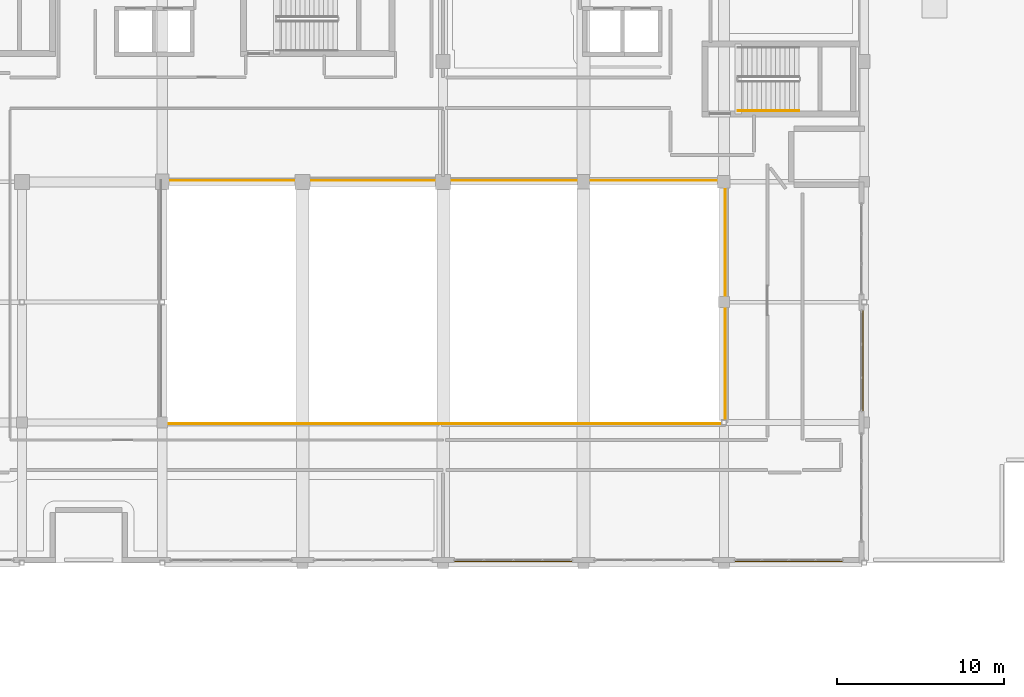
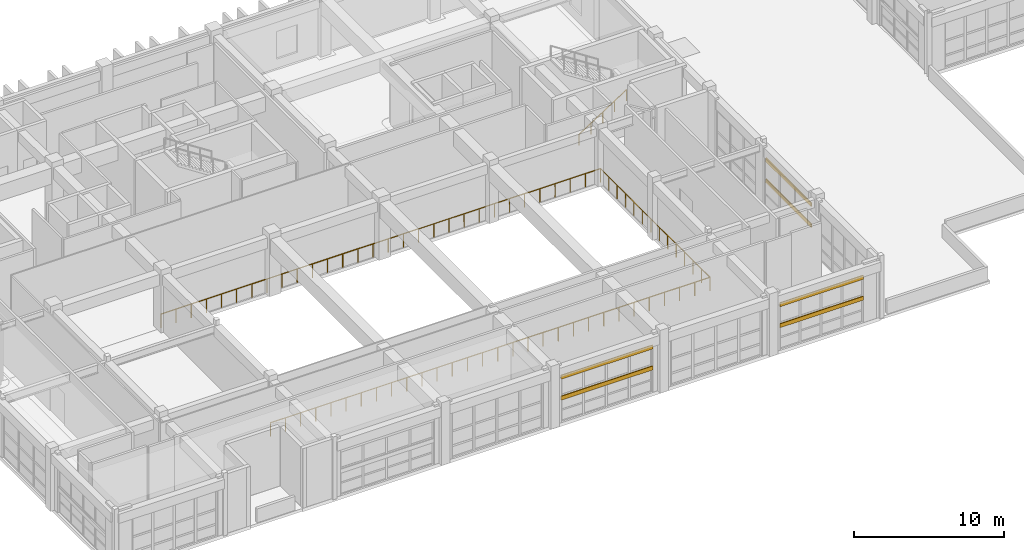
# One storey, part 74 of 78: 6 shading devices, 4 railings.
"""IFC4 building model written with IfcOpenShell, lengths in metres."""

from ifc_helpers import new_model, si_unit, direction, frame, origin, origin_2d, place, context, subcontext, project, spatial, hollow_rectangle, circle, extrude, material, material_profile, profile_set, type_object, element, save


model = new_model("IFC4")

# Units and contexts
model_context = context("Model", 3, precision=1e-05, world=origin(), true_north=direction((0.0, 1.0)))
body_context = subcontext(model_context, "Body", "Model", "MODEL_VIEW")
ifc_project = project(units=[si_unit("LENGTHUNIT", "METRE"), si_unit("AREAUNIT", "SQUARE_METRE"), si_unit("VOLUMEUNIT", "CUBIC_METRE"), si_unit("PLANEANGLEUNIT", "RADIAN"), si_unit("MASSUNIT", "GRAM", prefix="KILO")], contexts=[model_context])

# Site, building, storey
site_placement = place(None, origin())
site = spatial("IfcSite", under=ifc_project, at=site_placement, CompositionType="ELEMENT")
building_placement = place(site_placement, origin())
building = spatial("IfcBuilding", under=site, at=building_placement, Name="Quendrovan Civic Courthouse", CompositionType="ELEMENT")
storey_placement = place(building_placement, frame((0.0, 0.0, 10.199951171875)))
storey = spatial("IfcBuildingStorey", under=building, at=storey_placement, Name="L03", CompositionType="ELEMENT", Elevation=10.199951171875)

# Railings
ifc_material = material(Name="Bronze anodised aluminium", Category="aluminium")
railing_type_1 = type_object("IfcRailingType", Name="RL-ATR-GUARD1100", PredefinedType="GUARDRAIL", material=ifc_material)
railing_1_placement = place(storey_placement, frame((50.320068359375, 73.1201171875, 0.0)))
element("IfcRailing", 1, at=railing_1_placement, inside=storey, type_object=railing_type_1, Name="L03 Atrium and Well Perimeter Guardrail 020", PredefinedType="GUARDRAIL", context=body_context, shape_type="SweptSolid", body=[
    extrude(circle(Radius=0.02392578125, at=origin_2d()), frame((0.0, 0.0, 1.09619140625), z_axis=(1.0, 0.0, 0.0), x_axis=(0.0, 1.0, 0.0)), (0.0, 0.0, 1.0), 33.760009765625),
    extrude(circle(Radius=0.02099609375, at=origin_2d()), origin(), (0.0, 0.0, 1.0), 1.072021484375),
    extrude(circle(Radius=0.02099609375, at=origin_2d()), frame((1.1640625, 0.0, 0.0)), (0.0, 0.0, 1.0), 1.072021484375),
    extrude(circle(Radius=0.02099609375, at=origin_2d()), frame((2.328369140625, 0.0, 0.0)), (0.0, 0.0, 1.0), 1.072021484375),
    extrude(circle(Radius=0.02099609375, at=origin_2d()), frame((3.492431640625, 0.0, 0.0)), (0.0, 0.0, 1.0), 1.072021484375),
    extrude(circle(Radius=0.02099609375, at=origin_2d()), frame((4.656494140625, 0.0, 0.0)), (0.0, 0.0, 1.0), 1.072021484375),
    extrude(circle(Radius=0.02099609375, at=origin_2d()), frame((5.82080078125, 0.0, 0.0)), (0.0, 0.0, 1.0), 1.072021484375),
    extrude(circle(Radius=0.02099609375, at=origin_2d()), frame((6.98486328125, 0.0, 0.0)), (0.0, 0.0, 1.0), 1.072021484375),
    extrude(circle(Radius=0.02099609375, at=origin_2d()), frame((8.14892578125, 0.0, 0.0)), (0.0, 0.0, 1.0), 1.072021484375),
    extrude(circle(Radius=0.02099609375, at=origin_2d()), frame((9.31298828125, 0.0, 0.0)), (0.0, 0.0, 1.0), 1.072021484375),
    extrude(circle(Radius=0.02099609375, at=origin_2d()), frame((10.477294921875, 0.0, 0.0)), (0.0, 0.0, 1.0), 1.072021484375),
    extrude(circle(Radius=0.02099609375, at=origin_2d()), frame((11.641357421875, 0.0, 0.0)), (0.0, 0.0, 1.0), 1.072021484375),
    extrude(circle(Radius=0.02099609375, at=origin_2d()), frame((12.805419921875, 0.0, 0.0)), (0.0, 0.0, 1.0), 1.072021484375),
    extrude(circle(Radius=0.02099609375, at=origin_2d()), frame((13.9697265625, 0.0, 0.0)), (0.0, 0.0, 1.0), 1.072021484375),
    extrude(circle(Radius=0.02099609375, at=origin_2d()), frame((15.1337890625, 0.0, 0.0)), (0.0, 0.0, 1.0), 1.072021484375),
    extrude(circle(Radius=0.02099609375, at=origin_2d()), frame((16.2978515625, 0.0, 0.0)), (0.0, 0.0, 1.0), 1.072021484375),
    extrude(circle(Radius=0.02099609375, at=origin_2d()), frame((17.462158203125, 0.0, 0.0)), (0.0, 0.0, 1.0), 1.072021484375),
    extrude(circle(Radius=0.02099609375, at=origin_2d()), frame((18.626220703125, 0.0, 0.0)), (0.0, 0.0, 1.0), 1.072021484375),
    extrude(circle(Radius=0.02099609375, at=origin_2d()), frame((19.790283203125, 0.0, 0.0)), (0.0, 0.0, 1.0), 1.072021484375),
    extrude(circle(Radius=0.02099609375, at=origin_2d()), frame((20.95458984375, 0.0, 0.0)), (0.0, 0.0, 1.0), 1.072021484375),
    extrude(circle(Radius=0.02099609375, at=origin_2d()), frame((22.11865234375, 0.0, 0.0)), (0.0, 0.0, 1.0), 1.072021484375),
    extrude(circle(Radius=0.02099609375, at=origin_2d()), frame((23.28271484375, 0.0, 0.0)), (0.0, 0.0, 1.0), 1.072021484375),
    extrude(circle(Radius=0.02099609375, at=origin_2d()), frame((24.447021484375, 0.0, 0.0)), (0.0, 0.0, 1.0), 1.072021484375),
    extrude(circle(Radius=0.02099609375, at=origin_2d()), frame((25.611083984375, 0.0, 0.0)), (0.0, 0.0, 1.0), 1.072021484375),
    extrude(circle(Radius=0.02099609375, at=origin_2d()), frame((26.775146484375, 0.0, 0.0)), (0.0, 0.0, 1.0), 1.072021484375),
    extrude(circle(Radius=0.02099609375, at=origin_2d()), frame((27.939208984375, 0.0, 0.0)), (0.0, 0.0, 1.0), 1.072021484375),
    extrude(circle(Radius=0.02099609375, at=origin_2d()), frame((29.103515625, 0.0, 0.0)), (0.0, 0.0, 1.0), 1.072021484375),
    extrude(circle(Radius=0.02099609375, at=origin_2d()), frame((30.267578125, 0.0, 0.0)), (0.0, 0.0, 1.0), 1.072021484375),
    extrude(circle(Radius=0.02099609375, at=origin_2d()), frame((31.431640625, 0.0, 0.0)), (0.0, 0.0, 1.0), 1.072021484375),
    extrude(circle(Radius=0.02099609375, at=origin_2d()), frame((32.595947265625, 0.0, 0.0)), (0.0, 0.0, 1.0), 1.072021484375),
    extrude(circle(Radius=0.02099609375, at=origin_2d()), frame((33.760009765625, 0.0, 0.0)), (0.0, 0.0, 1.0), 1.072021484375),
])
railing_2_placement = place(storey_placement, frame((84.080078125, 73.1201171875, 0.0)))
element("IfcRailing", 2, at=railing_2_placement, inside=storey, type_object=railing_type_1, Name="L03 Atrium and Well Perimeter Guardrail 021", PredefinedType="GUARDRAIL", context=body_context, shape_type="SweptSolid", body=[
    extrude(circle(Radius=0.02392578125, at=origin_2d()), frame((0.0, 0.0, 1.09619140625), z_axis=(0.0, 1.0, 0.0), x_axis=(-1.0, 0.0, 0.0)), (0.0, 0.0, 1.0), 14.559814453125),
    extrude(circle(Radius=0.02099609375, at=origin_2d()), origin(), (0.0, 0.0, 1.0), 1.072021484375),
    extrude(circle(Radius=0.02099609375, at=origin_2d()), frame((0.0, 1.119873046875, 0.0)), (0.0, 0.0, 1.0), 1.072021484375),
    extrude(circle(Radius=0.02099609375, at=origin_2d()), frame((0.0, 2.239990234375, 0.0)), (0.0, 0.0, 1.0), 1.072021484375),
    extrude(circle(Radius=0.02099609375, at=origin_2d()), frame((0.0, 3.35986328125, 0.0)), (0.0, 0.0, 1.0), 1.072021484375),
    extrude(circle(Radius=0.02099609375, at=origin_2d()), frame((0.0, 4.47998046875, 0.0)), (0.0, 0.0, 1.0), 1.072021484375),
    extrude(circle(Radius=0.02099609375, at=origin_2d()), frame((0.0, 5.599853515625, 0.0)), (0.0, 0.0, 1.0), 1.072021484375),
    extrude(circle(Radius=0.02099609375, at=origin_2d()), frame((0.0, 6.719970703125, 0.0)), (0.0, 0.0, 1.0), 1.072021484375),
    extrude(circle(Radius=0.02099609375, at=origin_2d()), frame((0.0, 7.83984375, 0.0)), (0.0, 0.0, 1.0), 1.072021484375),
    extrude(circle(Radius=0.02099609375, at=origin_2d()), frame((0.0, 8.9599609375, 0.0)), (0.0, 0.0, 1.0), 1.072021484375),
    extrude(circle(Radius=0.02099609375, at=origin_2d()), frame((0.0, 10.079833984375, 0.0)), (0.0, 0.0, 1.0), 1.072021484375),
    extrude(circle(Radius=0.02099609375, at=origin_2d()), frame((0.0, 11.199951171875, 0.0)), (0.0, 0.0, 1.0), 1.072021484375),
    extrude(circle(Radius=0.02099609375, at=origin_2d()), frame((0.0, 12.31982421875, 0.0)), (0.0, 0.0, 1.0), 1.072021484375),
    extrude(circle(Radius=0.02099609375, at=origin_2d()), frame((0.0, 13.43994140625, 0.0)), (0.0, 0.0, 1.0), 1.072021484375),
    extrude(circle(Radius=0.02099609375, at=origin_2d()), frame((0.0, 14.559814453125, 0.0)), (0.0, 0.0, 1.0), 1.072021484375),
])
railing_3_placement = place(storey_placement, frame((84.080078125, 87.679931640625, 0.0)))
element("IfcRailing", 3, at=railing_3_placement, inside=storey, type_object=railing_type_1, Name="L03 Atrium and Well Perimeter Guardrail 022", PredefinedType="GUARDRAIL", context=body_context, shape_type="SweptSolid", body=[
    extrude(circle(Radius=0.02392578125, at=origin_2d()), frame((0.0, 0.0, 1.09619140625), z_axis=(-1.0, 0.0, 0.0), x_axis=(0.0, -1.0, 0.0)), (0.0, 0.0, 1.0), 33.760009765625),
    extrude(circle(Radius=0.02099609375, at=origin_2d()), origin(), (0.0, 0.0, 1.0), 1.072021484375),
    extrude(circle(Radius=0.02099609375, at=origin_2d()), frame((-1.1640625, 0.0, 0.0)), (0.0, 0.0, 1.0), 1.072021484375),
    extrude(circle(Radius=0.02099609375, at=origin_2d()), frame((-2.328369140625, 0.0, 0.0)), (0.0, 0.0, 1.0), 1.072021484375),
    extrude(circle(Radius=0.02099609375, at=origin_2d()), frame((-3.492431640625, 0.0, 0.0)), (0.0, 0.0, 1.0), 1.072021484375),
    extrude(circle(Radius=0.02099609375, at=origin_2d()), frame((-4.656494140625, 0.0, 0.0)), (0.0, 0.0, 1.0), 1.072021484375),
    extrude(circle(Radius=0.02099609375, at=origin_2d()), frame((-5.82080078125, 0.0, 0.0)), (0.0, 0.0, 1.0), 1.072021484375),
    extrude(circle(Radius=0.02099609375, at=origin_2d()), frame((-6.98486328125, 0.0, 0.0)), (0.0, 0.0, 1.0), 1.072021484375),
    extrude(circle(Radius=0.02099609375, at=origin_2d()), frame((-8.14892578125, 0.0, 0.0)), (0.0, 0.0, 1.0), 1.072021484375),
    extrude(circle(Radius=0.02099609375, at=origin_2d()), frame((-9.31298828125, 0.0, 0.0)), (0.0, 0.0, 1.0), 1.072021484375),
    extrude(circle(Radius=0.02099609375, at=origin_2d()), frame((-10.477294921875, 0.0, 0.0)), (0.0, 0.0, 1.0), 1.072021484375),
    extrude(circle(Radius=0.02099609375, at=origin_2d()), frame((-11.641357421875, 0.0, 0.0)), (0.0, 0.0, 1.0), 1.072021484375),
    extrude(circle(Radius=0.02099609375, at=origin_2d()), frame((-12.805419921875, 0.0, 0.0)), (0.0, 0.0, 1.0), 1.072021484375),
    extrude(circle(Radius=0.02099609375, at=origin_2d()), frame((-13.9697265625, 0.0, 0.0)), (0.0, 0.0, 1.0), 1.072021484375),
    extrude(circle(Radius=0.02099609375, at=origin_2d()), frame((-15.1337890625, 0.0, 0.0)), (0.0, 0.0, 1.0), 1.072021484375),
    extrude(circle(Radius=0.02099609375, at=origin_2d()), frame((-16.2978515625, 0.0, 0.0)), (0.0, 0.0, 1.0), 1.072021484375),
    extrude(circle(Radius=0.02099609375, at=origin_2d()), frame((-17.462158203125, 0.0, 0.0)), (0.0, 0.0, 1.0), 1.072021484375),
    extrude(circle(Radius=0.02099609375, at=origin_2d()), frame((-18.626220703125, 0.0, 0.0)), (0.0, 0.0, 1.0), 1.072021484375),
    extrude(circle(Radius=0.02099609375, at=origin_2d()), frame((-19.790283203125, 0.0, 0.0)), (0.0, 0.0, 1.0), 1.072021484375),
    extrude(circle(Radius=0.02099609375, at=origin_2d()), frame((-20.95458984375, 0.0, 0.0)), (0.0, 0.0, 1.0), 1.072021484375),
    extrude(circle(Radius=0.02099609375, at=origin_2d()), frame((-22.11865234375, 0.0, 0.0)), (0.0, 0.0, 1.0), 1.072021484375),
    extrude(circle(Radius=0.02099609375, at=origin_2d()), frame((-23.28271484375, 0.0, 0.0)), (0.0, 0.0, 1.0), 1.072021484375),
    extrude(circle(Radius=0.02099609375, at=origin_2d()), frame((-24.447021484375, 0.0, 0.0)), (0.0, 0.0, 1.0), 1.072021484375),
    extrude(circle(Radius=0.02099609375, at=origin_2d()), frame((-25.611083984375, 0.0, 0.0)), (0.0, 0.0, 1.0), 1.072021484375),
    extrude(circle(Radius=0.02099609375, at=origin_2d()), frame((-26.775146484375, 0.0, 0.0)), (0.0, 0.0, 1.0), 1.072021484375),
    extrude(circle(Radius=0.02099609375, at=origin_2d()), frame((-27.939208984375, 0.0, 0.0)), (0.0, 0.0, 1.0), 1.072021484375),
    extrude(circle(Radius=0.02099609375, at=origin_2d()), frame((-29.103515625, 0.0, 0.0)), (0.0, 0.0, 1.0), 1.072021484375),
    extrude(circle(Radius=0.02099609375, at=origin_2d()), frame((-30.267578125, 0.0, 0.0)), (0.0, 0.0, 1.0), 1.072021484375),
    extrude(circle(Radius=0.02099609375, at=origin_2d()), frame((-31.431640625, 0.0, 0.0)), (0.0, 0.0, 1.0), 1.072021484375),
    extrude(circle(Radius=0.02099609375, at=origin_2d()), frame((-32.595947265625, 0.0, 0.0)), (0.0, 0.0, 1.0), 1.072021484375),
    extrude(circle(Radius=0.02099609375, at=origin_2d()), frame((-33.760009765625, 0.0, 0.0)), (0.0, 0.0, 1.0), 1.072021484375),
])
railing_type_2 = type_object("IfcRailingType", Name="RL-STR-HAND900", PredefinedType="HANDRAIL", material=ifc_material)
railing_4_placement = place(storey_placement, frame((84.85009765625, 91.85009765625, 0.18212890625)))
element("IfcRailing", 4, at=railing_4_placement, inside=storey, type_object=railing_type_2, Name="L03 ST3 stair handrail 1", PredefinedType="HANDRAIL", context=body_context, shape_type="SweptSolid", body=[
    extrude(circle(Radius=0.02392578125, at=origin_2d()), frame((0.0, 0.0, 0.8759765625), z_axis=(0.838234174257, 0.0, 0.545310433706), x_axis=(0.0, 1.0, 0.0)), (0.0, 0.0, 1.0), 4.34228515625),
    extrude(circle(Radius=0.02099609375, at=origin_2d()), origin(), (0.0, 0.0, 1.0), 0.851806640625),
    extrude(circle(Radius=0.02099609375, at=origin_2d()), frame((0.909912109375, 0.0, 0.592041015625)), (0.0, 0.0, 1.0), 0.851806640625),
    extrude(circle(Radius=0.02099609375, at=origin_2d()), frame((1.81982421875, 0.0, 1.18408203125)), (0.0, 0.0, 1.0), 0.851806640625),
    extrude(circle(Radius=0.02099609375, at=origin_2d()), frame((2.72998046875, 0.0, 1.77587890625)), (0.0, 0.0, 1.0), 0.851806640625),
    extrude(circle(Radius=0.02099609375, at=origin_2d()), frame((3.639892578125, 0.0, 2.367919921875)), (0.0, 0.0, 1.0), 0.851806640625),
])

# Shading devices
ifc_material_profile = material_profile(ifc_material, hollow_rectangle(XDim=0.06494140625, YDim=0.320068359375, WallThickness=0.0048828125, at=origin_2d()), Name="AL-LOUVRE-65x320")
ifc_profile_set = profile_set([ifc_material_profile], Name="Bronze anodised aluminium")
shading_device_type = type_object("IfcShadingDeviceType", Name="SHD-STORM-LOUVRE", PredefinedType="JALOUSIE", material=ifc_profile_set)
for number, where, z_axis, x_axis, name in (
    (5, (92.31494140625, 79.89990234375, 1.949951171875), (0.0, -1.0, 0.0), (1.0, 0.0, 0.0), "L03 Bronze Hurricane Storm Louvre SLV-129"),
    (6, (92.31494140625, 79.89990234375, 3.650146484375), (0.0, -1.0, 0.0), (1.0, 0.0, 0.0), "L03 Bronze Hurricane Storm Louvre SLV-130"),
):
    element("IfcShadingDevice", number, at=place(storey_placement, frame(where, z_axis=z_axis, x_axis=x_axis)), inside=storey, type_object=shading_device_type, Name=name, PredefinedType="JALOUSIE", context=body_context, shape_type="SweptSolid", body=[
        extrude(hollow_rectangle(XDim=0.06494140625, YDim=0.320068359375, WallThickness=0.0048828125, at=origin_2d()), origin(), (0.0, 0.0, 1.0), 6.02490234375),
    ])
for number, where, z_axis, x_axis, name in (
    (7, (91.10009765625, 64.885009765625, 1.949951171875), (-1.0, 0.0, 0.0), (0.0, -1.0, 0.0), "L03 Bronze Hurricane Storm Louvre SLV-131"),
    (8, (91.10009765625, 64.885009765625, 3.650146484375), (-1.0, 0.0, 0.0), (0.0, -1.0, 0.0), "L03 Bronze Hurricane Storm Louvre SLV-132"),
):
    element("IfcShadingDevice", number, at=place(storey_placement, frame(where, z_axis=z_axis, x_axis=x_axis)), inside=storey, type_object=shading_device_type, Name=name, PredefinedType="JALOUSIE", context=body_context, shape_type="SweptSolid", body=[
        extrude(hollow_rectangle(XDim=0.06494140625, YDim=0.320068359375, WallThickness=0.0048828125, at=origin_2d()), origin(), (0.0, 0.0, 1.0), 6.425048828125),
    ])
for number, where, z_axis, x_axis, name in (
    (9, (74.925048828125, 64.885009765625, 1.949951171875), (-1.0, 0.0, 0.0), (0.0, -1.0, 0.0), "L03 Bronze Hurricane Storm Louvre SLV-133"),
    (10, (74.925048828125, 64.885009765625, 3.650146484375), (-1.0, 0.0, 0.0), (0.0, -1.0, 0.0), "L03 Bronze Hurricane Storm Louvre SLV-134"),
):
    element("IfcShadingDevice", number, at=place(storey_placement, frame(where, z_axis=z_axis, x_axis=x_axis)), inside=storey, type_object=shading_device_type, Name=name, PredefinedType="JALOUSIE", context=body_context, shape_type="SweptSolid", body=[
        extrude(hollow_rectangle(XDim=0.06494140625, YDim=0.320068359375, WallThickness=0.0048828125, at=origin_2d()), origin(), (0.0, 0.0, 1.0), 7.050048828125),
    ])

save(model, "model.ifc")
